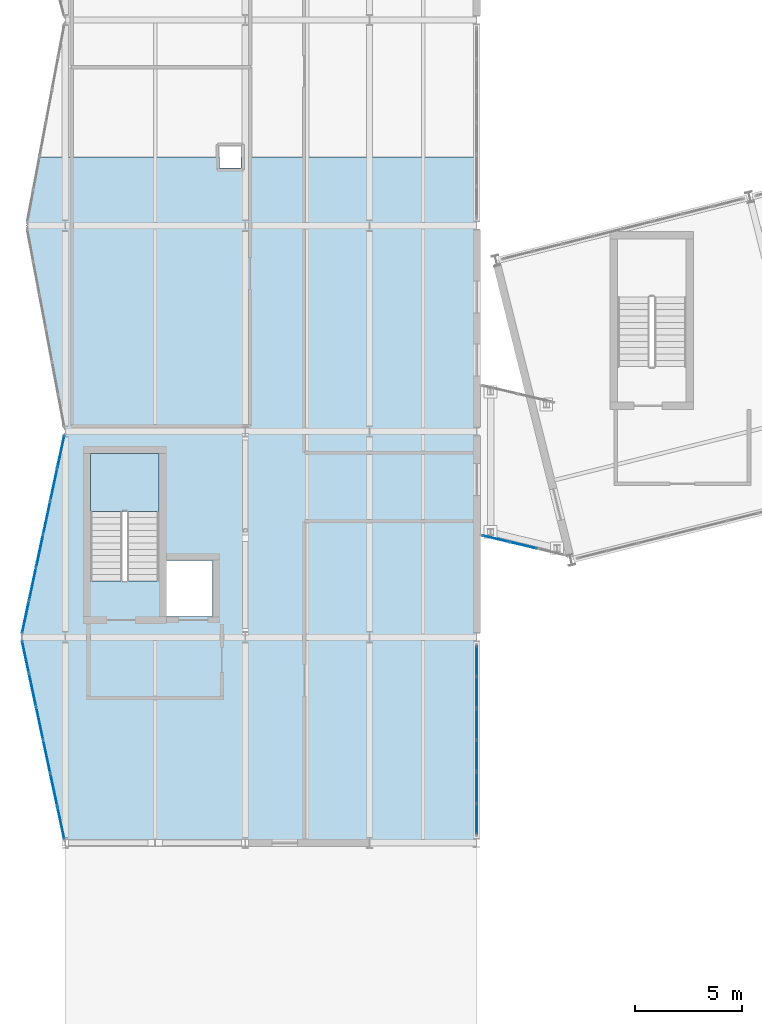
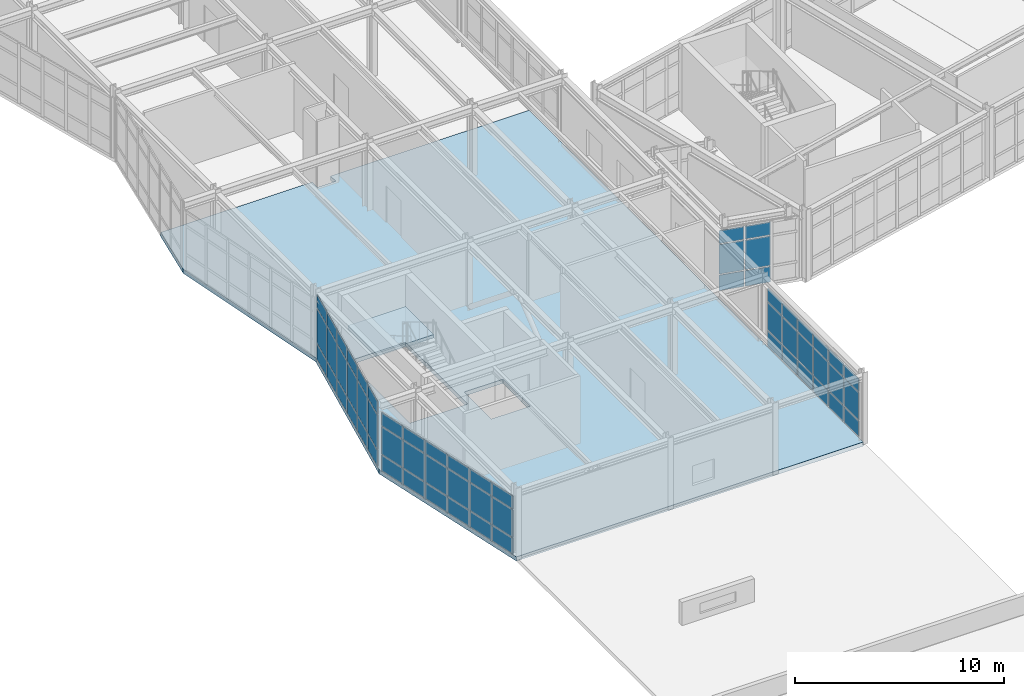
# One storey, part 47 of 88: 60 plates, 2 slabs, 5 elements without a shape of their own.
"""IFC4 building model written with IfcOpenShell, lengths in metres."""

from ifc_helpers import new_model, si_unit, direction, frame, origin, origin_2d, place, context, subcontext, project, spatial, polyline, rectangle, outline, extrude, material, layer, layer_set, type_object, element, aggregate, save


model = new_model("IFC4")

# Units and contexts
model_context = context("Model", 3, precision=1e-05, world=origin(), true_north=direction((0.0, 1.0)))
body_context = subcontext(model_context, "Body", "Model", "MODEL_VIEW")
ifc_project = project(units=[si_unit("LENGTHUNIT", "METRE"), si_unit("AREAUNIT", "SQUARE_METRE"), si_unit("VOLUMEUNIT", "CUBIC_METRE"), si_unit("PLANEANGLEUNIT", "RADIAN"), si_unit("MASSUNIT", "GRAM", prefix="KILO")], contexts=[model_context])

# Site, building, storey
site_placement = place(None, origin())
site = spatial("IfcSite", under=ifc_project, at=site_placement, CompositionType="ELEMENT")
building_placement = place(site_placement, origin())
building = spatial("IfcBuilding", under=site, at=building_placement, Name="Nordkorset Police Headquarters", CompositionType="ELEMENT")
storey_placement = place(building_placement, frame((0.0, 0.0, 9.449951171875)))
storey = spatial("IfcBuildingStorey", under=building, at=storey_placement, Name="L02", CompositionType="ELEMENT", Elevation=9.449951171875)

# Curtain wall, plates
ifc_material_1 = material(Name="Aluminium alloy AW-6060", Category="aluminium")
ifc_layer_1 = layer(ifc_material_1, 0.179931640625, Name="Aluminium alloy AW-6060")
ifc_layer_set_1 = layer_set([ifc_layer_1], Name="Aluminium alloy AW-6060")
curtain_wall_type_1 = type_object("IfcCurtainWallType", Name="CW_Unit_954x351", PredefinedType="USERDEFINED", material=ifc_layer_set_1)
curtain_wall_1_placement = place(storey_placement, origin())
curtain_wall_1 = element("IfcCurtainWall", 1, at=curtain_wall_1_placement, inside=storey, type_object=curtain_wall_type_1, Name="Unitised Curtain Wall L02 V3W-0", ObjectType="UNITISED CURTAIN WALL", PredefinedType="USERDEFINED")
ifc_material_2 = material(Name="Low-iron triple glazing", Category="glass")
ifc_layer_2 = layer(ifc_material_2, 0.035888671875, Name="Low-iron triple glazing")
ifc_layer_set_2 = layer_set([ifc_layer_2], Name="Low-iron triple glazing")
plate_type = type_object("IfcPlateType", Name="CW_Panel_TripleGlazing_36", PredefinedType="CURTAIN_PANEL", material=ifc_layer_set_2)
plate_1_placement = place(storey_placement, frame((-0.198486328125, 29.72998046875, 0.06494140625), z_axis=(0.0, 0.0, 1.0), x_axis=(-0.208832534289, 0.977951416289, 0.0)))
plate_1 = element("IfcPlate", 2, at=plate_1_placement, type_object=plate_type, Name="CW-03 panel 1.1", PredefinedType="CURTAIN_PANEL", context=body_context, shape_type="SweptSolid", body=[
    extrude(rectangle(XDim=1.491943359375, YDim=0.035888671875, at=origin_2d()), origin(), (0.0, 0.0, 1.0), 0.902587890625),
])
plate_2_placement = place(storey_placement, frame((-0.198486328125, 29.72998046875, 1.03271484375), z_axis=(0.0, 0.0, 1.0), x_axis=(-0.208832534289, 0.977951416289, 0.0)))
plate_2 = element("IfcPlate", 3, at=plate_2_placement, type_object=plate_type, Name="CW-03 panel 1.2", PredefinedType="CURTAIN_PANEL", context=body_context, shape_type="SweptSolid", body=[
    extrude(rectangle(XDim=1.491943359375, YDim=0.035888671875, at=origin_2d()), origin(), (0.0, 0.0, 1.0), 1.594970703125),
])
plate_3_placement = place(storey_placement, frame((-0.198486328125, 29.72998046875, 2.692626953125), z_axis=(0.0, 0.0, 1.0), x_axis=(-0.208832534289, 0.977951416289, 0.0)))
plate_3 = element("IfcPlate", 4, at=plate_3_placement, type_object=plate_type, Name="CW-03 panel 1.3", PredefinedType="CURTAIN_PANEL", context=body_context, shape_type="SweptSolid", body=[
    extrude(rectangle(XDim=1.491943359375, YDim=0.035888671875, at=origin_2d()), origin(), (0.0, 0.0, 1.0), 0.75244140625),
])
plate_4_placement = place(storey_placement, frame((-0.527099609375, 31.2685546875, 0.06494140625), z_axis=(0.0, 0.0, 1.0), x_axis=(-0.208832534289, 0.977951416289, 0.0)))
plate_4 = element("IfcPlate", 5, at=plate_4_placement, type_object=plate_type, Name="CW-03 panel 2.1", PredefinedType="CURTAIN_PANEL", context=body_context, shape_type="SweptSolid", body=[
    extrude(rectangle(XDim=1.5244140625, YDim=0.035888671875, at=origin_2d()), origin(), (0.0, 0.0, 1.0), 0.902587890625),
])
plate_5_placement = place(storey_placement, frame((-0.527099609375, 31.2685546875, 1.03271484375), z_axis=(0.0, 0.0, 1.0), x_axis=(-0.208832534289, 0.977951416289, 0.0)))
plate_5 = element("IfcPlate", 6, at=plate_5_placement, type_object=plate_type, Name="CW-03 panel 2.2", PredefinedType="CURTAIN_PANEL", context=body_context, shape_type="SweptSolid", body=[
    extrude(rectangle(XDim=1.5244140625, YDim=0.035888671875, at=origin_2d()), origin(), (0.0, 0.0, 1.0), 1.594970703125),
])
plate_6_placement = place(storey_placement, frame((-0.527099609375, 31.2685546875, 2.692626953125), z_axis=(0.0, 0.0, 1.0), x_axis=(-0.208832534289, 0.977951416289, 0.0)))
plate_6 = element("IfcPlate", 7, at=plate_6_placement, type_object=plate_type, Name="CW-03 panel 2.3", PredefinedType="CURTAIN_PANEL", context=body_context, shape_type="SweptSolid", body=[
    extrude(rectangle(XDim=1.5244140625, YDim=0.035888671875, at=origin_2d()), origin(), (0.0, 0.0, 1.0), 0.75244140625),
])
plate_7_placement = place(storey_placement, frame((-0.859130859375, 32.82275390625, 0.06494140625), z_axis=(0.0, 0.0, 1.0), x_axis=(-0.208832534289, 0.977951416289, 0.0)))
plate_7 = element("IfcPlate", 8, at=plate_7_placement, type_object=plate_type, Name="CW-03 panel 3.1", PredefinedType="CURTAIN_PANEL", context=body_context, shape_type="SweptSolid", body=[
    extrude(rectangle(XDim=1.5244140625, YDim=0.035888671875, at=origin_2d()), origin(), (0.0, 0.0, 1.0), 0.902587890625),
])
plate_8_placement = place(storey_placement, frame((-0.859130859375, 32.82275390625, 1.03271484375), z_axis=(0.0, 0.0, 1.0), x_axis=(-0.208832534289, 0.977951416289, 0.0)))
plate_8 = element("IfcPlate", 9, at=plate_8_placement, type_object=plate_type, Name="CW-03 panel 3.2", PredefinedType="CURTAIN_PANEL", context=body_context, shape_type="SweptSolid", body=[
    extrude(rectangle(XDim=1.5244140625, YDim=0.035888671875, at=origin_2d()), origin(), (0.0, 0.0, 1.0), 1.594970703125),
])
plate_9_placement = place(storey_placement, frame((-0.859130859375, 32.82275390625, 2.692626953125), z_axis=(0.0, 0.0, 1.0), x_axis=(-0.208832534289, 0.977951416289, 0.0)))
plate_9 = element("IfcPlate", 10, at=plate_9_placement, type_object=plate_type, Name="CW-03 panel 3.3", PredefinedType="CURTAIN_PANEL", context=body_context, shape_type="SweptSolid", body=[
    extrude(rectangle(XDim=1.5244140625, YDim=0.035888671875, at=origin_2d()), origin(), (0.0, 0.0, 1.0), 0.75244140625),
])
plate_10_placement = place(storey_placement, frame((-1.19091796875, 34.377197265625, 0.06494140625), z_axis=(0.0, 0.0, 1.0), x_axis=(-0.208832534289, 0.977951416289, 0.0)))
plate_10 = element("IfcPlate", 11, at=plate_10_placement, type_object=plate_type, Name="CW-03 panel 4.1", PredefinedType="CURTAIN_PANEL", context=body_context, shape_type="SweptSolid", body=[
    extrude(rectangle(XDim=1.5244140625, YDim=0.035888671875, at=origin_2d()), origin(), (0.0, 0.0, 1.0), 0.902587890625),
])
plate_11_placement = place(storey_placement, frame((-1.19091796875, 34.377197265625, 1.03271484375), z_axis=(0.0, 0.0, 1.0), x_axis=(-0.208832534289, 0.977951416289, 0.0)))
plate_11 = element("IfcPlate", 12, at=plate_11_placement, type_object=plate_type, Name="CW-03 panel 4.2", PredefinedType="CURTAIN_PANEL", context=body_context, shape_type="SweptSolid", body=[
    extrude(rectangle(XDim=1.5244140625, YDim=0.035888671875, at=origin_2d()), origin(), (0.0, 0.0, 1.0), 1.594970703125),
])
plate_12_placement = place(storey_placement, frame((-1.19091796875, 34.377197265625, 2.692626953125), z_axis=(0.0, 0.0, 1.0), x_axis=(-0.208832534289, 0.977951416289, 0.0)))
plate_12 = element("IfcPlate", 13, at=plate_12_placement, type_object=plate_type, Name="CW-03 panel 4.3", PredefinedType="CURTAIN_PANEL", context=body_context, shape_type="SweptSolid", body=[
    extrude(rectangle(XDim=1.5244140625, YDim=0.035888671875, at=origin_2d()), origin(), (0.0, 0.0, 1.0), 0.75244140625),
])
plate_13_placement = place(storey_placement, frame((-1.52294921875, 35.931640625, 0.06494140625), z_axis=(0.0, 0.0, 1.0), x_axis=(-0.208832534289, 0.977951416289, 0.0)))
plate_13 = element("IfcPlate", 14, at=plate_13_placement, type_object=plate_type, Name="CW-03 panel 5.1", PredefinedType="CURTAIN_PANEL", context=body_context, shape_type="SweptSolid", body=[
    extrude(rectangle(XDim=1.5244140625, YDim=0.035888671875, at=origin_2d()), origin(), (0.0, 0.0, 1.0), 0.902587890625),
])
plate_14_placement = place(storey_placement, frame((-1.52294921875, 35.931640625, 1.03271484375), z_axis=(0.0, 0.0, 1.0), x_axis=(-0.208832534289, 0.977951416289, 0.0)))
plate_14 = element("IfcPlate", 15, at=plate_14_placement, type_object=plate_type, Name="CW-03 panel 5.2", PredefinedType="CURTAIN_PANEL", context=body_context, shape_type="SweptSolid", body=[
    extrude(rectangle(XDim=1.5244140625, YDim=0.035888671875, at=origin_2d()), origin(), (0.0, 0.0, 1.0), 1.594970703125),
])
plate_15_placement = place(storey_placement, frame((-1.52294921875, 35.931640625, 2.692626953125), z_axis=(0.0, 0.0, 1.0), x_axis=(-0.208832534289, 0.977951416289, 0.0)))
plate_15 = element("IfcPlate", 16, at=plate_15_placement, type_object=plate_type, Name="CW-03 panel 5.3", PredefinedType="CURTAIN_PANEL", context=body_context, shape_type="SweptSolid", body=[
    extrude(rectangle(XDim=1.5244140625, YDim=0.035888671875, at=origin_2d()), origin(), (0.0, 0.0, 1.0), 0.75244140625),
])
plate_16_placement = place(storey_placement, frame((-1.851318359375, 37.469970703125, 0.06494140625), z_axis=(0.0, 0.0, 1.0), x_axis=(-0.208832534289, 0.977951416289, 0.0)))
plate_16 = element("IfcPlate", 17, at=plate_16_placement, type_object=plate_type, Name="CW-03 panel 6.1", PredefinedType="CURTAIN_PANEL", context=body_context, shape_type="SweptSolid", body=[
    extrude(rectangle(XDim=1.491943359375, YDim=0.035888671875, at=origin_2d()), origin(), (0.0, 0.0, 1.0), 0.902587890625),
])
plate_17_placement = place(storey_placement, frame((-1.851318359375, 37.469970703125, 1.03271484375), z_axis=(0.0, 0.0, 1.0), x_axis=(-0.208832534289, 0.977951416289, 0.0)))
plate_17 = element("IfcPlate", 18, at=plate_17_placement, type_object=plate_type, Name="CW-03 panel 6.2", PredefinedType="CURTAIN_PANEL", context=body_context, shape_type="SweptSolid", body=[
    extrude(rectangle(XDim=1.491943359375, YDim=0.035888671875, at=origin_2d()), origin(), (0.0, 0.0, 1.0), 1.594970703125),
])
plate_18_placement = place(storey_placement, frame((-1.851318359375, 37.469970703125, 2.692626953125), z_axis=(0.0, 0.0, 1.0), x_axis=(-0.208832534289, 0.977951416289, 0.0)))
plate_18 = element("IfcPlate", 19, at=plate_18_placement, type_object=plate_type, Name="CW-03 panel 6.3", PredefinedType="CURTAIN_PANEL", context=body_context, shape_type="SweptSolid", body=[
    extrude(rectangle(XDim=1.491943359375, YDim=0.035888671875, at=origin_2d()), origin(), (0.0, 0.0, 1.0), 0.75244140625),
])
aggregate(curtain_wall_1, [plate_1, plate_2, plate_3, plate_4, plate_5, plate_6, plate_7, plate_8, plate_9, plate_10, plate_11, plate_12, plate_13, plate_14, plate_15, plate_16, plate_17, plate_18])

ifc_material_3 = material(Name="Aluminium alloy AW-6060", Category="aluminium")
ifc_layer_3 = layer(ifc_material_3, 0.179931640625, Name="Aluminium alloy AW-6060")
ifc_layer_set_3 = layer_set([ifc_layer_3], Name="Aluminium alloy AW-6060")
curtain_wall_type_2 = type_object("IfcCurtainWallType", Name="CW_Unit_888x351", PredefinedType="USERDEFINED", material=ifc_layer_set_3)
curtain_wall_2_placement = place(storey_placement, origin())
curtain_wall_2 = element("IfcCurtainWall", 20, at=curtain_wall_2_placement, inside=storey, type_object=curtain_wall_type_2, Name="Unitised Curtain Wall L02 V3E-0", ObjectType="UNITISED CURTAIN WALL", PredefinedType="USERDEFINED")
plate_19_placement = place(storey_placement, frame((19.199951171875, 29.916259765625, 0.06494140625), z_axis=(0.0, 0.0, 1.0), x_axis=(0.0, 1.0, 0.0)))
plate_19 = element("IfcPlate", 21, at=plate_19_placement, type_object=plate_type, Name="CW-58 panel 1.1", PredefinedType="CURTAIN_PANEL", context=body_context, shape_type="SweptSolid", body=[
    extrude(rectangle(XDim=1.382568359375, YDim=0.035888671875, at=origin_2d()), origin(), (0.0, 0.0, 1.0), 0.902587890625),
])
plate_20_placement = place(storey_placement, frame((19.199951171875, 29.916259765625, 1.03271484375), z_axis=(0.0, 0.0, 1.0), x_axis=(0.0, 1.0, 0.0)))
plate_20 = element("IfcPlate", 22, at=plate_20_placement, type_object=plate_type, Name="CW-58 panel 1.2", PredefinedType="CURTAIN_PANEL", context=body_context, shape_type="SweptSolid", body=[
    extrude(rectangle(XDim=1.382568359375, YDim=0.035888671875, at=origin_2d()), origin(), (0.0, 0.0, 1.0), 1.594970703125),
])
plate_21_placement = place(storey_placement, frame((19.199951171875, 29.916259765625, 2.692626953125), z_axis=(0.0, 0.0, 1.0), x_axis=(0.0, 1.0, 0.0)))
plate_21 = element("IfcPlate", 23, at=plate_21_placement, type_object=plate_type, Name="CW-58 panel 1.3", PredefinedType="CURTAIN_PANEL", context=body_context, shape_type="SweptSolid", body=[
    extrude(rectangle(XDim=1.382568359375, YDim=0.035888671875, at=origin_2d()), origin(), (0.0, 0.0, 1.0), 0.75244140625),
])
plate_22_placement = place(storey_placement, frame((19.199951171875, 31.3798828125, 0.06494140625), z_axis=(0.0, 0.0, 1.0), x_axis=(0.0, 1.0, 0.0)))
plate_22 = element("IfcPlate", 24, at=plate_22_placement, type_object=plate_type, Name="CW-58 panel 2.1", PredefinedType="CURTAIN_PANEL", context=body_context, shape_type="SweptSolid", body=[
    extrude(rectangle(XDim=1.4150390625, YDim=0.035888671875, at=origin_2d()), origin(), (0.0, 0.0, 1.0), 0.902587890625),
])
plate_23_placement = place(storey_placement, frame((19.199951171875, 31.3798828125, 1.03271484375), z_axis=(0.0, 0.0, 1.0), x_axis=(0.0, 1.0, 0.0)))
plate_23 = element("IfcPlate", 25, at=plate_23_placement, type_object=plate_type, Name="CW-58 panel 2.2", PredefinedType="CURTAIN_PANEL", context=body_context, shape_type="SweptSolid", body=[
    extrude(rectangle(XDim=1.4150390625, YDim=0.035888671875, at=origin_2d()), origin(), (0.0, 0.0, 1.0), 1.594970703125),
])
plate_24_placement = place(storey_placement, frame((19.199951171875, 31.3798828125, 2.692626953125), z_axis=(0.0, 0.0, 1.0), x_axis=(0.0, 1.0, 0.0)))
plate_24 = element("IfcPlate", 26, at=plate_24_placement, type_object=plate_type, Name="CW-58 panel 2.3", PredefinedType="CURTAIN_PANEL", context=body_context, shape_type="SweptSolid", body=[
    extrude(rectangle(XDim=1.4150390625, YDim=0.035888671875, at=origin_2d()), origin(), (0.0, 0.0, 1.0), 0.75244140625),
])
plate_25_placement = place(storey_placement, frame((19.199951171875, 32.860107421875, 0.06494140625), z_axis=(0.0, 0.0, 1.0), x_axis=(0.0, 1.0, 0.0)))
plate_25 = element("IfcPlate", 27, at=plate_25_placement, type_object=plate_type, Name="CW-58 panel 3.1", PredefinedType="CURTAIN_PANEL", context=body_context, shape_type="SweptSolid", body=[
    extrude(rectangle(XDim=1.4150390625, YDim=0.035888671875, at=origin_2d()), origin(), (0.0, 0.0, 1.0), 0.902587890625),
])
plate_26_placement = place(storey_placement, frame((19.199951171875, 32.860107421875, 1.03271484375), z_axis=(0.0, 0.0, 1.0), x_axis=(0.0, 1.0, 0.0)))
plate_26 = element("IfcPlate", 28, at=plate_26_placement, type_object=plate_type, Name="CW-58 panel 3.2", PredefinedType="CURTAIN_PANEL", context=body_context, shape_type="SweptSolid", body=[
    extrude(rectangle(XDim=1.4150390625, YDim=0.035888671875, at=origin_2d()), origin(), (0.0, 0.0, 1.0), 1.594970703125),
])
plate_27_placement = place(storey_placement, frame((19.199951171875, 32.860107421875, 2.692626953125), z_axis=(0.0, 0.0, 1.0), x_axis=(0.0, 1.0, 0.0)))
plate_27 = element("IfcPlate", 29, at=plate_27_placement, type_object=plate_type, Name="CW-58 panel 3.3", PredefinedType="CURTAIN_PANEL", context=body_context, shape_type="SweptSolid", body=[
    extrude(rectangle(XDim=1.4150390625, YDim=0.035888671875, at=origin_2d()), origin(), (0.0, 0.0, 1.0), 0.75244140625),
])
plate_28_placement = place(storey_placement, frame((19.199951171875, 34.340087890625, 0.06494140625), z_axis=(0.0, 0.0, 1.0), x_axis=(0.0, 1.0, 0.0)))
plate_28 = element("IfcPlate", 30, at=plate_28_placement, type_object=plate_type, Name="CW-58 panel 4.1", PredefinedType="CURTAIN_PANEL", context=body_context, shape_type="SweptSolid", body=[
    extrude(rectangle(XDim=1.4150390625, YDim=0.035888671875, at=origin_2d()), origin(), (0.0, 0.0, 1.0), 0.902587890625),
])
plate_29_placement = place(storey_placement, frame((19.199951171875, 34.340087890625, 1.03271484375), z_axis=(0.0, 0.0, 1.0), x_axis=(0.0, 1.0, 0.0)))
plate_29 = element("IfcPlate", 31, at=plate_29_placement, type_object=plate_type, Name="CW-58 panel 4.2", PredefinedType="CURTAIN_PANEL", context=body_context, shape_type="SweptSolid", body=[
    extrude(rectangle(XDim=1.4150390625, YDim=0.035888671875, at=origin_2d()), origin(), (0.0, 0.0, 1.0), 1.594970703125),
])
plate_30_placement = place(storey_placement, frame((19.199951171875, 34.340087890625, 2.692626953125), z_axis=(0.0, 0.0, 1.0), x_axis=(0.0, 1.0, 0.0)))
plate_30 = element("IfcPlate", 32, at=plate_30_placement, type_object=plate_type, Name="CW-58 panel 4.3", PredefinedType="CURTAIN_PANEL", context=body_context, shape_type="SweptSolid", body=[
    extrude(rectangle(XDim=1.4150390625, YDim=0.035888671875, at=origin_2d()), origin(), (0.0, 0.0, 1.0), 0.75244140625),
])
plate_31_placement = place(storey_placement, frame((19.199951171875, 35.820068359375, 0.06494140625), z_axis=(0.0, 0.0, 1.0), x_axis=(0.0, 1.0, 0.0)))
plate_31 = element("IfcPlate", 33, at=plate_31_placement, type_object=plate_type, Name="CW-58 panel 5.1", PredefinedType="CURTAIN_PANEL", context=body_context, shape_type="SweptSolid", body=[
    extrude(rectangle(XDim=1.4150390625, YDim=0.035888671875, at=origin_2d()), origin(), (0.0, 0.0, 1.0), 0.902587890625),
])
plate_32_placement = place(storey_placement, frame((19.199951171875, 35.820068359375, 1.03271484375), z_axis=(0.0, 0.0, 1.0), x_axis=(0.0, 1.0, 0.0)))
plate_32 = element("IfcPlate", 34, at=plate_32_placement, type_object=plate_type, Name="CW-58 panel 5.2", PredefinedType="CURTAIN_PANEL", context=body_context, shape_type="SweptSolid", body=[
    extrude(rectangle(XDim=1.4150390625, YDim=0.035888671875, at=origin_2d()), origin(), (0.0, 0.0, 1.0), 1.594970703125),
])
plate_33_placement = place(storey_placement, frame((19.199951171875, 35.820068359375, 2.692626953125), z_axis=(0.0, 0.0, 1.0), x_axis=(0.0, 1.0, 0.0)))
plate_33 = element("IfcPlate", 35, at=plate_33_placement, type_object=plate_type, Name="CW-58 panel 5.3", PredefinedType="CURTAIN_PANEL", context=body_context, shape_type="SweptSolid", body=[
    extrude(rectangle(XDim=1.4150390625, YDim=0.035888671875, at=origin_2d()), origin(), (0.0, 0.0, 1.0), 0.75244140625),
])
plate_34_placement = place(storey_placement, frame((19.199951171875, 37.28369140625, 0.06494140625), z_axis=(0.0, 0.0, 1.0), x_axis=(0.0, 1.0, 0.0)))
plate_34 = element("IfcPlate", 36, at=plate_34_placement, type_object=plate_type, Name="CW-58 panel 6.1", PredefinedType="CURTAIN_PANEL", context=body_context, shape_type="SweptSolid", body=[
    extrude(rectangle(XDim=1.382568359375, YDim=0.035888671875, at=origin_2d()), origin(), (0.0, 0.0, 1.0), 0.902587890625),
])
plate_35_placement = place(storey_placement, frame((19.199951171875, 37.28369140625, 1.03271484375), z_axis=(0.0, 0.0, 1.0), x_axis=(0.0, 1.0, 0.0)))
plate_35 = element("IfcPlate", 37, at=plate_35_placement, type_object=plate_type, Name="CW-58 panel 6.2", PredefinedType="CURTAIN_PANEL", context=body_context, shape_type="SweptSolid", body=[
    extrude(rectangle(XDim=1.382568359375, YDim=0.035888671875, at=origin_2d()), origin(), (0.0, 0.0, 1.0), 1.594970703125),
])
plate_36_placement = place(storey_placement, frame((19.199951171875, 37.28369140625, 2.692626953125), z_axis=(0.0, 0.0, 1.0), x_axis=(0.0, 1.0, 0.0)))
plate_36 = element("IfcPlate", 38, at=plate_36_placement, type_object=plate_type, Name="CW-58 panel 6.3", PredefinedType="CURTAIN_PANEL", context=body_context, shape_type="SweptSolid", body=[
    extrude(rectangle(XDim=1.382568359375, YDim=0.035888671875, at=origin_2d()), origin(), (0.0, 0.0, 1.0), 0.75244140625),
])
aggregate(curtain_wall_2, [plate_19, plate_20, plate_21, plate_22, plate_23, plate_24, plate_25, plate_26, plate_27, plate_28, plate_29, plate_30, plate_31, plate_32, plate_33, plate_34, plate_35, plate_36])

ifc_material_4 = material(Name="Aluminium alloy AW-6060", Category="aluminium")
ifc_layer_4 = layer(ifc_material_4, 0.179931640625, Name="Aluminium alloy AW-6060")
ifc_layer_set_4 = layer_set([ifc_layer_4], Name="Aluminium alloy AW-6060")
curtain_wall_type_3 = type_object("IfcCurtainWallType", Name="CW_Unit_954x392", PredefinedType="USERDEFINED", material=ifc_layer_set_4)
curtain_wall_3_placement = place(storey_placement, origin())
curtain_wall_3 = element("IfcCurtainWall", 39, at=curtain_wall_3_placement, inside=storey, type_object=curtain_wall_type_3, Name="Unitised Curtain Wall L02 V3W-1", ObjectType="UNITISED CURTAIN WALL", PredefinedType="USERDEFINED")
plate_37_placement = place(storey_placement, frame((-1.851318359375, 39.330078125, 0.06494140625), z_axis=(0.0, 0.0, 1.0), x_axis=(0.208832534289, 0.977951416289, 0.0)))
plate_37 = element("IfcPlate", 40, at=plate_37_placement, type_object=plate_type, Name="CW-20 panel 1.1", PredefinedType="CURTAIN_PANEL", context=body_context, shape_type="SweptSolid", body=[
    extrude(rectangle(XDim=1.491943359375, YDim=0.035888671875, at=origin_2d()), origin(), (0.0, 0.0, 1.0), 0.902587890625),
])
plate_38_placement = place(storey_placement, frame((-1.851318359375, 39.330078125, 1.03271484375), z_axis=(0.0, 0.0, 1.0), x_axis=(0.208832534289, 0.977951416289, 0.0)))
plate_38 = element("IfcPlate", 41, at=plate_38_placement, type_object=plate_type, Name="CW-20 panel 1.2", PredefinedType="CURTAIN_PANEL", context=body_context, shape_type="SweptSolid", body=[
    extrude(rectangle(XDim=1.491943359375, YDim=0.035888671875, at=origin_2d()), origin(), (0.0, 0.0, 1.0), 2.0048828125),
])
plate_39_placement = place(storey_placement, frame((-1.851318359375, 39.330078125, 3.1025390625), z_axis=(0.0, 0.0, 1.0), x_axis=(0.208832534289, 0.977951416289, 0.0)))
plate_39 = element("IfcPlate", 42, at=plate_39_placement, type_object=plate_type, Name="CW-20 panel 1.3", PredefinedType="CURTAIN_PANEL", context=body_context, shape_type="SweptSolid", body=[
    extrude(rectangle(XDim=1.491943359375, YDim=0.035888671875, at=origin_2d()), origin(), (0.0, 0.0, 1.0), 0.75244140625),
])
plate_40_placement = place(storey_placement, frame((-1.52294921875, 40.868408203125, 0.06494140625), z_axis=(0.0, 0.0, 1.0), x_axis=(0.208832534289, 0.977951416289, 0.0)))
plate_40 = element("IfcPlate", 43, at=plate_40_placement, type_object=plate_type, Name="CW-20 panel 2.1", PredefinedType="CURTAIN_PANEL", context=body_context, shape_type="SweptSolid", body=[
    extrude(rectangle(XDim=1.5244140625, YDim=0.035888671875, at=origin_2d()), origin(), (0.0, 0.0, 1.0), 0.902587890625),
])
plate_41_placement = place(storey_placement, frame((-1.52294921875, 40.868408203125, 1.03271484375), z_axis=(0.0, 0.0, 1.0), x_axis=(0.208832534289, 0.977951416289, 0.0)))
plate_41 = element("IfcPlate", 44, at=plate_41_placement, type_object=plate_type, Name="CW-20 panel 2.2", PredefinedType="CURTAIN_PANEL", context=body_context, shape_type="SweptSolid", body=[
    extrude(rectangle(XDim=1.5244140625, YDim=0.035888671875, at=origin_2d()), origin(), (0.0, 0.0, 1.0), 2.0048828125),
])
plate_42_placement = place(storey_placement, frame((-1.52294921875, 40.868408203125, 3.1025390625), z_axis=(0.0, 0.0, 1.0), x_axis=(0.208832534289, 0.977951416289, 0.0)))
plate_42 = element("IfcPlate", 45, at=plate_42_placement, type_object=plate_type, Name="CW-20 panel 2.3", PredefinedType="CURTAIN_PANEL", context=body_context, shape_type="SweptSolid", body=[
    extrude(rectangle(XDim=1.5244140625, YDim=0.035888671875, at=origin_2d()), origin(), (0.0, 0.0, 1.0), 0.75244140625),
])
plate_43_placement = place(storey_placement, frame((-1.19091796875, 42.4228515625, 0.06494140625), z_axis=(0.0, 0.0, 1.0), x_axis=(0.208832534289, 0.977951416289, 0.0)))
plate_43 = element("IfcPlate", 46, at=plate_43_placement, type_object=plate_type, Name="CW-20 panel 3.1", PredefinedType="CURTAIN_PANEL", context=body_context, shape_type="SweptSolid", body=[
    extrude(rectangle(XDim=1.5244140625, YDim=0.035888671875, at=origin_2d()), origin(), (0.0, 0.0, 1.0), 0.902587890625),
])
plate_44_placement = place(storey_placement, frame((-1.19091796875, 42.4228515625, 1.03271484375), z_axis=(0.0, 0.0, 1.0), x_axis=(0.208832534289, 0.977951416289, 0.0)))
plate_44 = element("IfcPlate", 47, at=plate_44_placement, type_object=plate_type, Name="CW-20 panel 3.2", PredefinedType="CURTAIN_PANEL", context=body_context, shape_type="SweptSolid", body=[
    extrude(rectangle(XDim=1.5244140625, YDim=0.035888671875, at=origin_2d()), origin(), (0.0, 0.0, 1.0), 2.0048828125),
])
plate_45_placement = place(storey_placement, frame((-1.19091796875, 42.4228515625, 3.1025390625), z_axis=(0.0, 0.0, 1.0), x_axis=(0.208832534289, 0.977951416289, 0.0)))
plate_45 = element("IfcPlate", 48, at=plate_45_placement, type_object=plate_type, Name="CW-20 panel 3.3", PredefinedType="CURTAIN_PANEL", context=body_context, shape_type="SweptSolid", body=[
    extrude(rectangle(XDim=1.5244140625, YDim=0.035888671875, at=origin_2d()), origin(), (0.0, 0.0, 1.0), 0.75244140625),
])
plate_46_placement = place(storey_placement, frame((-0.859130859375, 43.977294921875, 0.06494140625), z_axis=(0.0, 0.0, 1.0), x_axis=(0.208832534289, 0.977951416289, 0.0)))
plate_46 = element("IfcPlate", 49, at=plate_46_placement, type_object=plate_type, Name="CW-20 panel 4.1", PredefinedType="CURTAIN_PANEL", context=body_context, shape_type="SweptSolid", body=[
    extrude(rectangle(XDim=1.5244140625, YDim=0.035888671875, at=origin_2d()), origin(), (0.0, 0.0, 1.0), 0.902587890625),
])
plate_47_placement = place(storey_placement, frame((-0.859130859375, 43.977294921875, 1.03271484375), z_axis=(0.0, 0.0, 1.0), x_axis=(0.208832534289, 0.977951416289, 0.0)))
plate_47 = element("IfcPlate", 50, at=plate_47_placement, type_object=plate_type, Name="CW-20 panel 4.2", PredefinedType="CURTAIN_PANEL", context=body_context, shape_type="SweptSolid", body=[
    extrude(rectangle(XDim=1.5244140625, YDim=0.035888671875, at=origin_2d()), origin(), (0.0, 0.0, 1.0), 2.0048828125),
])
plate_48_placement = place(storey_placement, frame((-0.859130859375, 43.977294921875, 3.1025390625), z_axis=(0.0, 0.0, 1.0), x_axis=(0.208832534289, 0.977951416289, 0.0)))
plate_48 = element("IfcPlate", 51, at=plate_48_placement, type_object=plate_type, Name="CW-20 panel 4.3", PredefinedType="CURTAIN_PANEL", context=body_context, shape_type="SweptSolid", body=[
    extrude(rectangle(XDim=1.5244140625, YDim=0.035888671875, at=origin_2d()), origin(), (0.0, 0.0, 1.0), 0.75244140625),
])
plate_49_placement = place(storey_placement, frame((-0.527099609375, 45.531494140625, 0.06494140625), z_axis=(0.0, 0.0, 1.0), x_axis=(0.208832534289, 0.977951416289, 0.0)))
plate_49 = element("IfcPlate", 52, at=plate_49_placement, type_object=plate_type, Name="CW-20 panel 5.1", PredefinedType="CURTAIN_PANEL", context=body_context, shape_type="SweptSolid", body=[
    extrude(rectangle(XDim=1.5244140625, YDim=0.035888671875, at=origin_2d()), origin(), (0.0, 0.0, 1.0), 0.902587890625),
])
plate_50_placement = place(storey_placement, frame((-0.527099609375, 45.531494140625, 1.03271484375), z_axis=(0.0, 0.0, 1.0), x_axis=(0.208832534289, 0.977951416289, 0.0)))
plate_50 = element("IfcPlate", 53, at=plate_50_placement, type_object=plate_type, Name="CW-20 panel 5.2", PredefinedType="CURTAIN_PANEL", context=body_context, shape_type="SweptSolid", body=[
    extrude(rectangle(XDim=1.5244140625, YDim=0.035888671875, at=origin_2d()), origin(), (0.0, 0.0, 1.0), 2.0048828125),
])
plate_51_placement = place(storey_placement, frame((-0.527099609375, 45.531494140625, 3.1025390625), z_axis=(0.0, 0.0, 1.0), x_axis=(0.208832534289, 0.977951416289, 0.0)))
plate_51 = element("IfcPlate", 54, at=plate_51_placement, type_object=plate_type, Name="CW-20 panel 5.3", PredefinedType="CURTAIN_PANEL", context=body_context, shape_type="SweptSolid", body=[
    extrude(rectangle(XDim=1.5244140625, YDim=0.035888671875, at=origin_2d()), origin(), (0.0, 0.0, 1.0), 0.75244140625),
])
plate_52_placement = place(storey_placement, frame((-0.198486328125, 47.070068359375, 0.06494140625), z_axis=(0.0, 0.0, 1.0), x_axis=(0.208832534289, 0.977951416289, 0.0)))
plate_52 = element("IfcPlate", 55, at=plate_52_placement, type_object=plate_type, Name="CW-20 panel 6.1", PredefinedType="CURTAIN_PANEL", context=body_context, shape_type="SweptSolid", body=[
    extrude(rectangle(XDim=1.491943359375, YDim=0.035888671875, at=origin_2d()), origin(), (0.0, 0.0, 1.0), 0.902587890625),
])
plate_53_placement = place(storey_placement, frame((-0.198486328125, 47.070068359375, 1.03271484375), z_axis=(0.0, 0.0, 1.0), x_axis=(0.208832534289, 0.977951416289, 0.0)))
plate_53 = element("IfcPlate", 56, at=plate_53_placement, type_object=plate_type, Name="CW-20 panel 6.2", PredefinedType="CURTAIN_PANEL", context=body_context, shape_type="SweptSolid", body=[
    extrude(rectangle(XDim=1.491943359375, YDim=0.035888671875, at=origin_2d()), origin(), (0.0, 0.0, 1.0), 2.0048828125),
])
plate_54_placement = place(storey_placement, frame((-0.198486328125, 47.070068359375, 3.1025390625), z_axis=(0.0, 0.0, 1.0), x_axis=(0.208832534289, 0.977951416289, 0.0)))
plate_54 = element("IfcPlate", 57, at=plate_54_placement, type_object=plate_type, Name="CW-20 panel 6.3", PredefinedType="CURTAIN_PANEL", context=body_context, shape_type="SweptSolid", body=[
    extrude(rectangle(XDim=1.491943359375, YDim=0.035888671875, at=origin_2d()), origin(), (0.0, 0.0, 1.0), 0.75244140625),
])
aggregate(curtain_wall_3, [plate_37, plate_38, plate_39, plate_40, plate_41, plate_42, plate_43, plate_44, plate_45, plate_46, plate_47, plate_48, plate_49, plate_50, plate_51, plate_52, plate_53, plate_54])

ifc_material_5 = material(Name="Aluminium alloy AW-6060", Category="aluminium")
ifc_layer_5 = layer(ifc_material_5, 0.179931640625, Name="Aluminium alloy AW-6060")
ifc_layer_set_5 = layer_set([ifc_layer_5], Name="Aluminium alloy AW-6060")
curtain_wall_type_4 = type_object("IfcCurtainWallType", Name="CW_Unit_401x364", PredefinedType="USERDEFINED", material=ifc_layer_set_5)
curtain_wall_4_placement = place(storey_placement, origin())
curtain_wall_4 = element("IfcCurtainWall", 58, at=curtain_wall_4_placement, inside=storey, type_object=curtain_wall_type_4, Name="Unitised Curtain Wall L02 BRGW-S", ObjectType="UNITISED CURTAIN WALL", PredefinedType="USERDEFINED")
plate_55_placement = place(storey_placement, frame((20.0908203125, 42.990234375, 0.06494140625), z_axis=(0.0, 0.0, 1.0), x_axis=(0.972904739966, -0.231206329825, 0.0)))
plate_55 = element("IfcPlate", 59, at=plate_55_placement, type_object=plate_type, Name="CW-14 panel 1.1", PredefinedType="CURTAIN_PANEL", context=body_context, shape_type="SweptSolid", body=[
    extrude(rectangle(XDim=1.238525390625, YDim=0.035888671875, at=origin_2d()), origin(), (0.0, 0.0, 1.0), 0.902587890625),
])
plate_56_placement = place(storey_placement, frame((20.0908203125, 42.990234375, 1.03271484375), z_axis=(0.0, 0.0, 1.0), x_axis=(0.972904739966, -0.231206329825, 0.0)))
plate_56 = element("IfcPlate", 60, at=plate_56_placement, type_object=plate_type, Name="CW-14 panel 1.2", PredefinedType="CURTAIN_PANEL", context=body_context, shape_type="SweptSolid", body=[
    extrude(rectangle(XDim=1.238525390625, YDim=0.035888671875, at=origin_2d()), origin(), (0.0, 0.0, 1.0), 1.719970703125),
])
plate_57_placement = place(storey_placement, frame((20.0908203125, 42.990234375, 2.817626953125), z_axis=(0.0, 0.0, 1.0), x_axis=(0.972904739966, -0.231206329825, 0.0)))
plate_57 = element("IfcPlate", 61, at=plate_57_placement, type_object=plate_type, Name="CW-14 panel 1.3", PredefinedType="CURTAIN_PANEL", context=body_context, shape_type="SweptSolid", body=[
    extrude(rectangle(XDim=1.238525390625, YDim=0.035888671875, at=origin_2d()), origin(), (0.0, 0.0, 1.0), 0.75244140625),
])
plate_58_placement = place(storey_placement, frame((21.375, 42.68505859375, 0.06494140625), z_axis=(0.0, 0.0, 1.0), x_axis=(0.972904739966, -0.231206329825, 0.0)))
plate_58 = element("IfcPlate", 62, at=plate_58_placement, type_object=plate_type, Name="CW-14 panel 2.1", PredefinedType="CURTAIN_PANEL", context=body_context, shape_type="SweptSolid", body=[
    extrude(rectangle(XDim=1.271240234375, YDim=0.035888671875, at=origin_2d()), origin(), (0.0, 0.0, 1.0), 0.902587890625),
])
plate_59_placement = place(storey_placement, frame((21.375, 42.68505859375, 1.03271484375), z_axis=(0.0, 0.0, 1.0), x_axis=(0.972904739966, -0.231206329825, 0.0)))
plate_59 = element("IfcPlate", 63, at=plate_59_placement, type_object=plate_type, Name="CW-14 panel 2.2", PredefinedType="CURTAIN_PANEL", context=body_context, shape_type="SweptSolid", body=[
    extrude(rectangle(XDim=1.271240234375, YDim=0.035888671875, at=origin_2d()), origin(), (0.0, 0.0, 1.0), 1.719970703125),
])
plate_60_placement = place(storey_placement, frame((21.375, 42.68505859375, 2.817626953125), z_axis=(0.0, 0.0, 1.0), x_axis=(0.972904739966, -0.231206329825, 0.0)))
plate_60 = element("IfcPlate", 64, at=plate_60_placement, type_object=plate_type, Name="CW-14 panel 2.3", PredefinedType="CURTAIN_PANEL", context=body_context, shape_type="SweptSolid", body=[
    extrude(rectangle(XDim=1.271240234375, YDim=0.035888671875, at=origin_2d()), origin(), (0.0, 0.0, 1.0), 0.75244140625),
])
aggregate(curtain_wall_4, [plate_55, plate_56, plate_57, plate_58, plate_59, plate_60])

# Slab
ifc_material_6 = material(Name="Concrete C35/45", Category="concrete")
ifc_layer_6 = layer(ifc_material_6, 0.239990234375, Name="Concrete C35/45")
ifc_layer_set_6 = layer_set([ifc_layer_6], Name="Concrete C35/45")
slab_type_1 = type_object("IfcSlabType", Name="Slab_Lab_240", PredefinedType="FLOOR", material=ifc_layer_set_6)
slab_1_placement = place(storey_placement, frame((0.0, 0.0, -0.239990234375)))
element("IfcSlab", 65, at=slab_1_placement, inside=storey, type_object=slab_type_1, Name="Composite Floor Slab V3 South L02", PredefinedType="FLOOR", context=body_context, shape_type="SweptSolid", body=[
    extrude(outline(polyline([(0.0, 48.0), (-1.800048828125, 57.60009765625), (-1.199951171875, 60.800048828125), (7.199951171875, 60.800048828125), (7.199951171875, 60.300048828125), (8.199951171875, 60.300048828125), (8.199951171875, 60.800048828125), (19.199951171875, 60.800048828125), (19.199951171875, 28.800048828125), (0.0, 28.800048828125), (-2.050048828125, 38.39990234375), (0.0, 48.0)]), holes=[polyline([(1.175048828125, 46.97509765625), (1.175048828125, 41.028076171875), (4.375, 41.028076171875), (4.375, 46.97509765625), (1.175048828125, 46.97509765625)]), polyline([(6.875, 41.97509765625), (4.72509765625, 41.97509765625), (4.72509765625, 39.375), (6.875, 39.375), (6.875, 41.97509765625)])]), origin(), (0.0, 0.0, 1.0), 0.239990234375),
])

# Stair, slab
ifc_material_7 = material(Name="Concrete C35/45", Category="concrete")
stair_type = type_object("IfcStairType", Name="ST-42", PredefinedType="HALF_TURN_STAIR", material=ifc_material_7)
stair_placement = place(storey_placement, origin())
stair = element("IfcStair", 66, at=stair_placement, inside=storey, type_object=stair_type, Name="L02 Protected Escape Stair ST-04", PredefinedType="HALF_TURN_STAIR")
ifc_material_8 = material(Name="Concrete C35/45", Category="concrete")
ifc_layer_7 = layer(ifc_material_8, 0.199951171875, Name="Concrete C35/45")
ifc_layer_set_7 = layer_set([ifc_layer_7], Name="Concrete C35/45")
slab_type_2 = type_object("IfcSlabType", Name="Slab_StairLanding_200", PredefinedType="LANDING", material=ifc_layer_set_7)
slab_2_placement = place(storey_placement, frame((0.0, 0.0, 1.900146484375)))
slab_2 = element("IfcSlab", 67, at=slab_2_placement, type_object=slab_type_2, Name="ST-04 landing 1", PredefinedType="LANDING", context=body_context, shape_type="SweptSolid", body=[
    extrude(outline(polyline([(4.375, 44.27001953125), (4.375, 46.97509765625), (1.175048828125, 46.97509765625), (1.175048828125, 44.27001953125), (4.375, 44.27001953125)])), origin(), (0.0, 0.0, 1.0), 0.199951171875),
])
aggregate(stair, [slab_2])

save(model, "model.ifc")
